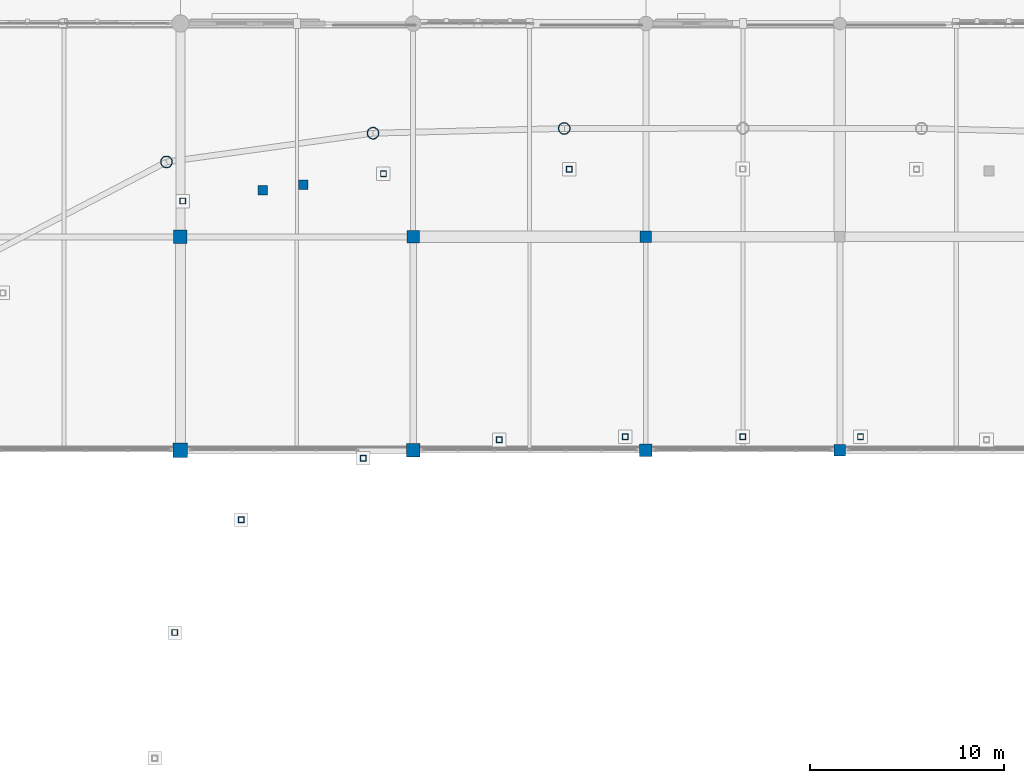
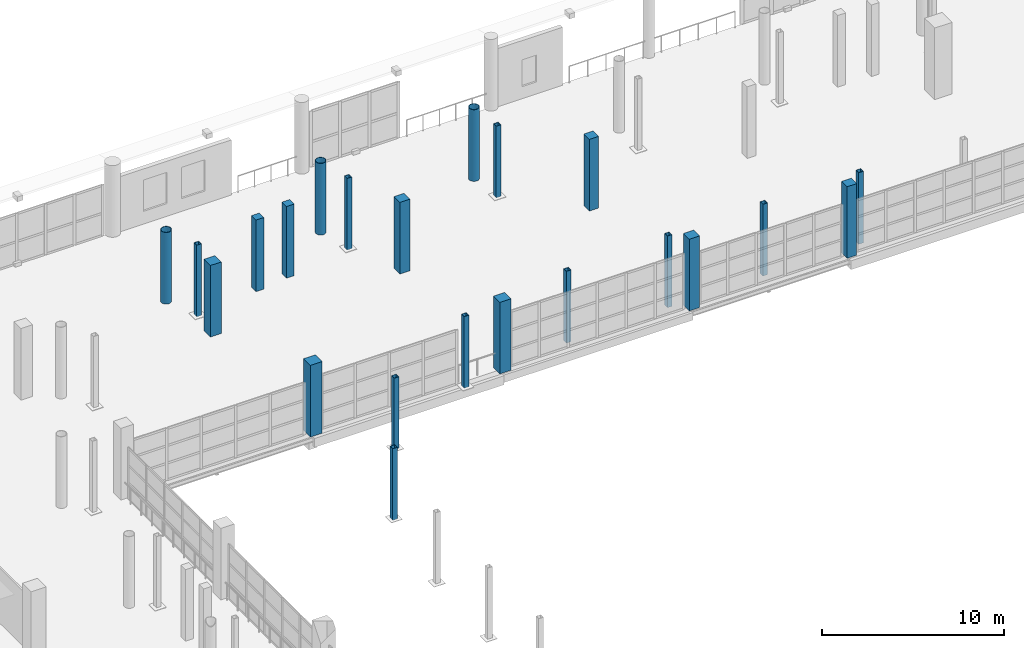
# One storey, part 11 of 143: 22 columns.
"""IFC4 building model written with IfcOpenShell, lengths in metres."""

from ifc_helpers import new_model, si_unit, direction, frame, origin, origin_2d, place, context, subcontext, project, spatial, rectangle, hollow_rectangle, hollow_circle, extrude, material, material_profile, profile_set, type_object, element, save


model = new_model("IFC4")

# Units and contexts
model_context = context("Model", 3, precision=1e-05, world=origin(), true_north=direction((0.0, 1.0)))
body_context = subcontext(model_context, "Body", "Model", "MODEL_VIEW")
ifc_project = project(units=[si_unit("LENGTHUNIT", "METRE"), si_unit("AREAUNIT", "SQUARE_METRE"), si_unit("VOLUMEUNIT", "CUBIC_METRE"), si_unit("PLANEANGLEUNIT", "RADIAN"), si_unit("MASSUNIT", "GRAM", prefix="KILO")], contexts=[model_context])

# Site, building, storey
site_placement = place(None, origin())
site = spatial("IfcSite", under=ifc_project, at=site_placement, CompositionType="ELEMENT")
building_placement = place(site_placement, origin())
building = spatial("IfcBuilding", under=site, at=building_placement, Name="Luwafu Chhajja Arena", CompositionType="ELEMENT")
storey_placement = place(building_placement, frame((0.0, 0.0, 5.39990234375)))
storey = spatial("IfcBuildingStorey", under=building, at=storey_placement, Name="L01", CompositionType="ELEMENT", Elevation=5.39990234375)

# Columns
ifc_material_1 = material(Name="Concrete C35/45", Category="concrete")
ifc_material_profile_1 = material_profile(ifc_material_1, rectangle(XDim=0.75, YDim=0.75, at=origin_2d()), Name="RC 750x750")
ifc_profile_set_1 = profile_set([ifc_material_profile_1], Name="Concrete C35/45")
column_type_1 = type_object("IfcColumnType", Name="Hospitality Ring Column RC 750", PredefinedType="COLUMN", material=ifc_profile_set_1)
column_placement = place(storey_placement, frame((70.0, 77.0, 0.0), z_axis=(0.0, 0.0, 1.0), x_axis=(1.0, 0.0, 0.0)))
element("IfcColumn", 1, at=column_placement, inside=storey, type_object=column_type_1, Name="L01 Grid Column 7/H", PredefinedType="COLUMN", context=body_context, shape_type="SweptSolid", body=[
    extrude(rectangle(XDim=0.75, YDim=0.75, at=origin_2d()), origin(), (0.0, 0.0, 1.0), 4.800048828125),
])
ifc_material_profile_2 = material_profile(ifc_material_1, rectangle(XDim=0.60009765625, YDim=0.60009765625, at=origin_2d()), Name="RC 600x600")
ifc_profile_set_2 = profile_set([ifc_material_profile_2], Name="Concrete C35/45")
column_type_2 = type_object("IfcColumnType", Name="Mezzanine Column RC 600", PredefinedType="COLUMN", material=ifc_profile_set_2)
for number, where, z_axis, x_axis, name in (
    (2, (94.0, 88.0, 0.0), (0.0, 0.0, 1.0), (1.0, 0.0, 0.0), "L01 Grid Column 9/J"),
    (3, (104.0, 77.0, 0.0), (0.0, 0.0, 1.0), (1.0, 0.0, 0.0), "L01 Grid Column 10/H"),
):
    element("IfcColumn", number, at=place(storey_placement, frame(where, z_axis=z_axis, x_axis=x_axis)), inside=storey, type_object=column_type_2, Name=name, PredefinedType="COLUMN", context=body_context, shape_type="SweptSolid", body=[
        extrude(rectangle(XDim=0.60009765625, YDim=0.60009765625, at=origin_2d()), origin(), (0.0, 0.0, 1.0), 4.800048828125),
    ])
ifc_material_profile_3 = material_profile(ifc_material_1, rectangle(XDim=0.5, YDim=0.5, at=origin_2d()), Name="RC 500x500")
ifc_profile_set_3 = profile_set([ifc_material_profile_3], Name="Concrete C35/45")
column_type_3 = type_object("IfcColumnType", Name="Pavilion Column RC 500", PredefinedType="COLUMN", material=ifc_profile_set_3)
for number, where, z_axis, x_axis, name in (
    (4, (76.332763671875, 90.693115234375, 0.0), (0.0, 0.0, 1.0), (1.0, 0.0, 0.0), "L01 Vomitory Stack Column VU11A"),
    (5, (74.251953125, 90.4091796875, 0.0), (0.0, 0.0, 1.0), (1.0, 0.0, 0.0), "L01 Vomitory Stack Column VU11B"),
):
    element("IfcColumn", number, at=place(storey_placement, frame(where, z_axis=z_axis, x_axis=x_axis)), inside=storey, type_object=column_type_3, Name=name, PredefinedType="COLUMN", context=body_context, shape_type="SweptSolid", body=[
        extrude(rectangle(XDim=0.5, YDim=0.5, at=origin_2d()), origin(), (0.0, 0.0, 1.0), 4.800048828125),
    ])
ifc_material_2 = material(Name="Steel S355", Category="steel")
ifc_material_profile_4 = material_profile(ifc_material_2, hollow_circle(Radius=0.304931640625, WallThickness=0.02490234375, at=origin_2d()), Name="CHS 610x25")
ifc_profile_set_4 = profile_set([ifc_material_profile_4], Name="Steel S355")
column_type_4 = type_object("IfcColumnType", Name="Steel Bowl Drum Column CHS 610", PredefinedType="COLUMN", material=ifc_profile_set_4)
for number, where, z_axis, x_axis, name in (
    (6, (89.792724609375, 93.588134765625, 0.0), (0.0, 0.0, 1.0), (1.0, 0.0, 0.0), "L01 Bowl Drum Column D10"),
    (7, (79.932861328125, 93.3447265625, 0.0), (0.0, 0.0, 1.0), (1.0, 0.0, 0.0), "L01 Bowl Drum Column D11"),
    (8, (69.281982421875, 91.86279296875, 0.0), (0.0, 0.0, 1.0), (1.0, 0.0, 0.0), "L01 Bowl Drum Column D12"),
):
    element("IfcColumn", number, at=place(storey_placement, frame(where, z_axis=z_axis, x_axis=x_axis)), inside=storey, type_object=column_type_4, Name=name, PredefinedType="COLUMN", context=body_context, shape_type="SweptSolid", body=[
        extrude(hollow_circle(Radius=0.304931640625, WallThickness=0.02490234375, at=origin_2d()), origin(), (0.0, 0.0, 1.0), 4.800048828125),
    ])
ifc_material_profile_5 = material_profile(ifc_material_2, hollow_rectangle(XDim=0.300048828125, YDim=0.300048828125, WallThickness=0.01611328125, at=origin_2d()), Name="SHS 300x300x16")
ifc_profile_set_5 = profile_set([ifc_material_profile_5], Name="Steel S355")
column_type_5 = type_object("IfcColumnType", Name="Steel Gallery Post SHS 300", PredefinedType="COLUMN", material=ifc_profile_set_5)
for number, where, z_axis, x_axis, name in (
    (9, (105.065185546875, 77.6923828125, 0.0), (0.0, 0.0, 1.0), (1.0, 0.0, 0.0), "L01 Upper Bowl Raker Column UI08"),
    (10, (99.0, 77.699951171875, 0.0), (0.0, 0.0, 1.0), (1.0, 0.0, 0.0), "L01 Upper Bowl Raker Column UI09"),
    (11, (92.934814453125, 77.6923828125, 0.0), (0.0, 0.0, 1.0), (1.0, 0.0, 0.0), "L01 Upper Bowl Raker Column UI10"),
    (12, (86.439697265625, 77.536865234375, 0.0), (0.0, 0.0, 1.0), (1.0, 0.0, 0.0), "L01 Upper Bowl Raker Column UI11"),
    (13, (79.42333984375, 76.589111328125, 0.0), (0.0, 0.0, 1.0), (1.0, 0.0, 0.0), "L01 Upper Bowl Raker Column UI12"),
    (14, (73.14013671875, 73.409912109375, 0.0), (0.0, 0.0, 1.0), (1.0, 0.0, 0.0), "L01 Upper Bowl Raker Column UI13"),
    (15, (69.701416015625, 67.600341796875, 0.0), (0.0, 0.0, 1.0), (1.0, 0.0, 0.0), "L01 Upper Bowl Raker Column UI14"),
    (16, (90.051513671875, 91.48876953125, 0.0), (0.0, 0.0, 1.0), (1.0, 0.0, 0.0), "L01 Upper Bowl Raker Column UO10"),
    (17, (80.46826171875, 91.2568359375, 0.0), (0.0, 0.0, 1.0), (1.0, 0.0, 0.0), "L01 Upper Bowl Raker Column UO11"),
    (18, (70.116455078125, 89.845458984375, 0.0), (0.0, 0.0, 1.0), (1.0, 0.0, 0.0), "L01 Upper Bowl Raker Column UO12"),
):
    element("IfcColumn", number, at=place(storey_placement, frame(where, z_axis=z_axis, x_axis=x_axis)), inside=storey, type_object=column_type_5, Name=name, PredefinedType="COLUMN", context=body_context, shape_type="SweptSolid", body=[
        extrude(hollow_rectangle(XDim=0.300048828125, YDim=0.300048828125, WallThickness=0.01611328125, at=origin_2d()), origin(), (0.0, 0.0, 1.0), 4.800048828125),
    ])
ifc_material_profile_6 = material_profile(ifc_material_1, rectangle(XDim=0.64990234375, YDim=0.64990234375, at=origin_2d()), Name="RC 650x650")
ifc_profile_set_6 = profile_set([ifc_material_profile_6], Name="Concrete C35/45")
column_type_6 = type_object("IfcColumnType", Name="Upper Wing Column RC 650", PredefinedType="COLUMN", material=ifc_profile_set_6)
for number, where, z_axis, x_axis, name in (
    (19, (82.0, 88.0, 0.0), (0.0, 0.0, 1.0), (1.0, 0.0, 0.0), "L01 Grid Column 8/J"),
    (20, (94.0, 77.0, 0.0), (0.0, 0.0, 1.0), (1.0, 0.0, 0.0), "L01 Grid Column 9/H"),
):
    element("IfcColumn", number, at=place(storey_placement, frame(where, z_axis=z_axis, x_axis=x_axis)), inside=storey, type_object=column_type_6, Name=name, PredefinedType="COLUMN", context=body_context, shape_type="SweptSolid", body=[
        extrude(rectangle(XDim=0.64990234375, YDim=0.64990234375, at=origin_2d()), origin(), (0.0, 0.0, 1.0), 4.800048828125),
    ])
ifc_material_profile_7 = material_profile(ifc_material_1, rectangle(XDim=0.699951171875, YDim=0.699951171875, at=origin_2d()), Name="RC 700x700")
ifc_profile_set_7 = profile_set([ifc_material_profile_7], Name="Concrete C35/45")
column_type_7 = type_object("IfcColumnType", Name="Wing Frame Column RC 700", PredefinedType="COLUMN", material=ifc_profile_set_7)
for number, where, z_axis, x_axis, name in (
    (21, (70.0, 88.0, 0.0), (0.0, 0.0, 1.0), (1.0, 0.0, 0.0), "L01 Grid Column 7/J"),
    (22, (82.0, 77.0, 0.0), (0.0, 0.0, 1.0), (1.0, 0.0, 0.0), "L01 Grid Column 8/H"),
):
    element("IfcColumn", number, at=place(storey_placement, frame(where, z_axis=z_axis, x_axis=x_axis)), inside=storey, type_object=column_type_7, Name=name, PredefinedType="COLUMN", context=body_context, shape_type="SweptSolid", body=[
        extrude(rectangle(XDim=0.699951171875, YDim=0.699951171875, at=origin_2d()), origin(), (0.0, 0.0, 1.0), 4.800048828125),
    ])

save(model, "model.ifc")
